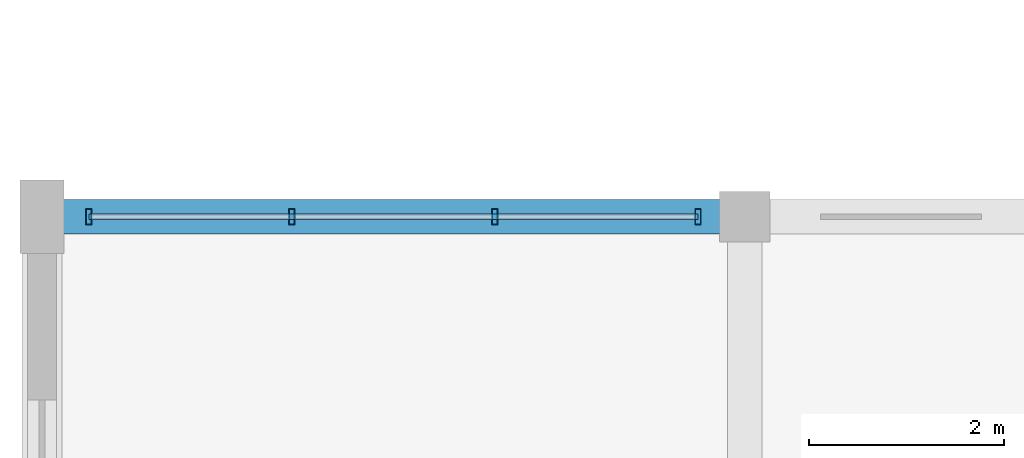
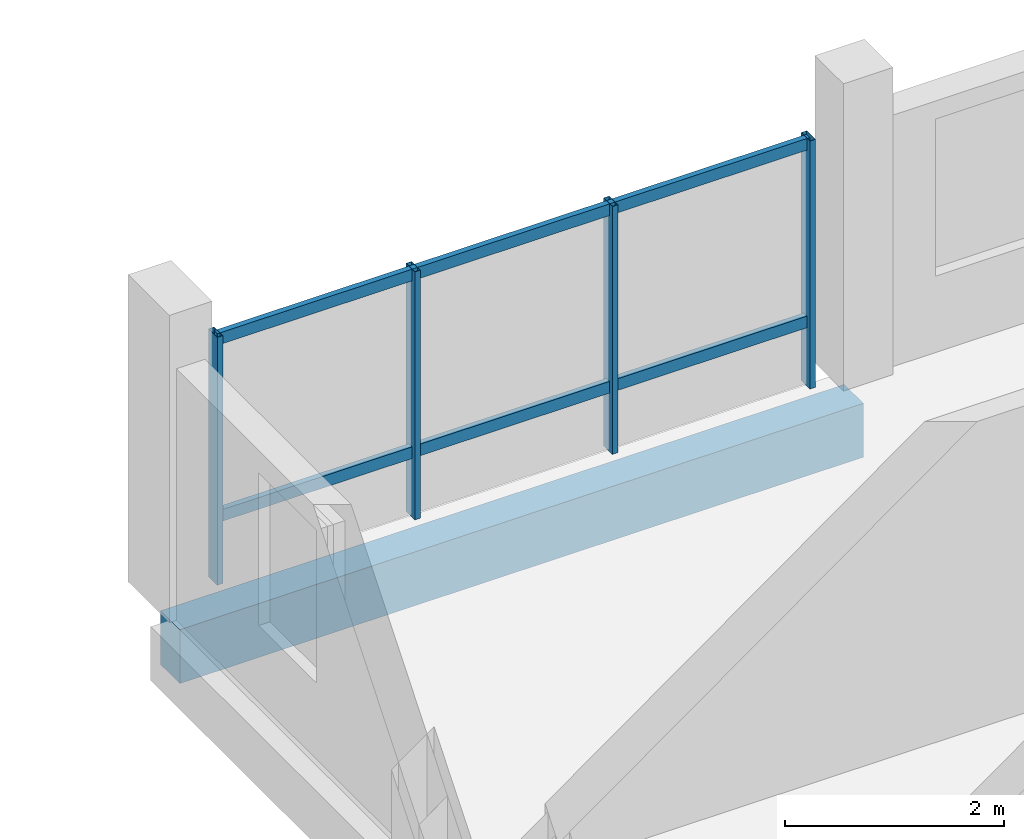
# One storey, part 15 of 26: 6 members, 1 beam, 1 element without a shape of its own.
"""IFC4 building model written with IfcOpenShell, lengths in metres."""

from ifc_helpers import new_model, si_unit, direction, frame, origin, origin_2d, place, context, subcontext, project, spatial, rectangle, hollow_rectangle, extrude, material, material_profile, profile_set, type_object, element, aggregate, save


model = new_model("IFC4")

# Units and contexts
model_context = context("Model", 3, precision=1e-05, world=origin(), true_north=direction((0.0, 1.0)))
body_context = subcontext(model_context, "Body", "Model", "MODEL_VIEW")
ifc_project = project(units=[si_unit("LENGTHUNIT", "METRE"), si_unit("AREAUNIT", "SQUARE_METRE"), si_unit("VOLUMEUNIT", "CUBIC_METRE"), si_unit("PLANEANGLEUNIT", "RADIAN"), si_unit("MASSUNIT", "GRAM", prefix="KILO")], contexts=[model_context])

# Site, building, storey
site_placement = place(None, origin())
site = spatial("IfcSite", under=ifc_project, at=site_placement, CompositionType="ELEMENT")
building_placement = place(site_placement, origin())
building = spatial("IfcBuilding", under=site, at=building_placement, Name="Zornivar Specialist Clinic", CompositionType="ELEMENT")
storey_placement = place(building_placement, frame((0.0, 0.0, 19.699951171875)))
storey = spatial("IfcBuildingStorey", under=building, at=storey_placement, Name="L05", CompositionType="ELEMENT", Elevation=19.699951171875)

# Beam
ifc_material_1 = material(Name="Concrete C30/37", Category="concrete")
ifc_material_profile_1 = material_profile(ifc_material_1, rectangle(XDim=0.35009765625, YDim=0.60009765625, at=origin_2d()), Name="RC 350x600")
ifc_profile_set_1 = profile_set([ifc_material_profile_1], Name="Concrete C30/37")
beam_type = type_object("IfcBeamType", Name="BM-RC-350x600", PredefinedType="BEAM", material=ifc_profile_set_1)
beam_placement = place(storey_placement, frame((0.0, 48.0, -0.579833984375), z_axis=(1.0, 0.0, 0.0), x_axis=(0.0, 1.0, 0.0)))
element("IfcBeam", 1, at=beam_placement, inside=storey, type_object=beam_type, Name="bm:V2:L05:x:480:0", PredefinedType="BEAM", context=body_context, shape_type="SweptSolid", body=[
    extrude(rectangle(XDim=0.35009765625, YDim=0.60009765625, at=origin_2d()), origin(), (0.0, 0.0, 1.0), 7.199951171875),
])

# Curtain wall, members
ifc_material_2 = material(Name="Aluminium and Low-E Glass Curtain Wall", Category="aluminium")
curtain_wall_type = type_object("IfcCurtainWallType", Name="CW-REVAK-COURT", PredefinedType="NOTDEFINED", material=ifc_material_2)
curtain_wall_placement = place(storey_placement, origin())
curtain_wall = element("IfcCurtainWall", 2, at=curtain_wall_placement, inside=storey, type_object=curtain_wall_type, Name="cw:V2:L05:16", PredefinedType="NOTDEFINED")
ifc_material_3 = material(Name="Aluminium AW-6060", Category="aluminium")
ifc_material_profile_2 = material_profile(ifc_material_3, hollow_rectangle(XDim=0.06005859375, YDim=0.159912109375, WallThickness=0.00390625, at=origin_2d()), Name="ALU 60x160x4")
ifc_profile_set_2 = profile_set([ifc_material_profile_2], Name="Aluminium AW-6060")
member_type_1 = type_object("IfcMemberType", Name="CWM-MUL-160", PredefinedType="MULLION", material=ifc_profile_set_2)
member_1_placement = place(storey_placement, frame((6.719970703125, 48.0, 0.0), z_axis=(0.0, 0.0, 1.0), x_axis=(1.0, 0.0, 0.0)))
member_1 = element("IfcMember", 3, at=member_1_placement, type_object=member_type_1, Name="cw:V2:L05:16:mul:0", PredefinedType="MULLION", context=body_context, shape_type="SweptSolid", body=[
    extrude(hollow_rectangle(XDim=0.06005859375, YDim=0.159912109375, WallThickness=0.00390625, at=origin_2d()), origin(), (0.0, 0.0, 1.0), 2.760009765625),
])
member_2_placement = place(storey_placement, frame((4.639892578125, 48.0, 0.0), z_axis=(0.0, 0.0, 1.0), x_axis=(1.0, 0.0, 0.0)))
member_2 = element("IfcMember", 4, at=member_2_placement, type_object=member_type_1, Name="cw:V2:L05:16:mul:1", PredefinedType="MULLION", context=body_context, shape_type="SweptSolid", body=[
    extrude(hollow_rectangle(XDim=0.06005859375, YDim=0.159912109375, WallThickness=0.00390625, at=origin_2d()), origin(), (0.0, 0.0, 1.0), 2.760009765625),
])
member_3_placement = place(storey_placement, frame((2.56005859375, 48.0, 0.0), z_axis=(0.0, 0.0, 1.0), x_axis=(1.0, 0.0, 0.0)))
member_3 = element("IfcMember", 5, at=member_3_placement, type_object=member_type_1, Name="cw:V2:L05:16:mul:2", PredefinedType="MULLION", context=body_context, shape_type="SweptSolid", body=[
    extrude(hollow_rectangle(XDim=0.06005859375, YDim=0.159912109375, WallThickness=0.00390625, at=origin_2d()), origin(), (0.0, 0.0, 1.0), 2.760009765625),
])
member_4_placement = place(storey_placement, frame((0.47998046875, 48.0, 0.0), z_axis=(0.0, 0.0, 1.0), x_axis=(1.0, 0.0, 0.0)))
member_4 = element("IfcMember", 6, at=member_4_placement, type_object=member_type_1, Name="cw:V2:L05:16:mul:3", PredefinedType="MULLION", context=body_context, shape_type="SweptSolid", body=[
    extrude(hollow_rectangle(XDim=0.06005859375, YDim=0.159912109375, WallThickness=0.00390625, at=origin_2d()), origin(), (0.0, 0.0, 1.0), 2.760009765625),
])
ifc_material_4 = material(Name="Aluminium AW-6060", Category="aluminium")
ifc_material_profile_3 = material_profile(ifc_material_4, hollow_rectangle(XDim=0.06005859375, YDim=0.1298828125, WallThickness=0.00390625, at=origin_2d()), Name="ALU 60x130x4")
ifc_profile_set_3 = profile_set([ifc_material_profile_3], Name="Aluminium AW-6060")
member_type_2 = type_object("IfcMemberType", Name="CWM-TRN-130", PredefinedType="USERDEFINED", material=ifc_profile_set_3)
member_5_placement = place(storey_placement, frame((6.719970703125, 48.0, 0.718017578125), z_axis=(-1.0, 0.0, 0.0), x_axis=(0.0, -1.0, 0.0)))
member_5 = element("IfcMember", 7, at=member_5_placement, type_object=member_type_2, Name="cw:V2:L05:16:trn:0", ObjectType="TRANSOM", PredefinedType="USERDEFINED", context=body_context, shape_type="SweptSolid", body=[
    extrude(hollow_rectangle(XDim=0.06005859375, YDim=0.1298828125, WallThickness=0.00390625, at=origin_2d()), origin(), (0.0, 0.0, 1.0), 6.239990234375),
])
member_6_placement = place(storey_placement, frame((6.719970703125, 48.0, 2.695068359375), z_axis=(-1.0, 0.0, 0.0), x_axis=(0.0, -1.0, 0.0)))
member_6 = element("IfcMember", 8, at=member_6_placement, type_object=member_type_2, Name="cw:V2:L05:16:trn:1", ObjectType="TRANSOM", PredefinedType="USERDEFINED", context=body_context, shape_type="SweptSolid", body=[
    extrude(hollow_rectangle(XDim=0.06005859375, YDim=0.1298828125, WallThickness=0.00390625, at=origin_2d()), origin(), (0.0, 0.0, 1.0), 6.239990234375),
])
aggregate(curtain_wall, [member_1, member_2, member_3, member_4, member_5, member_6])

save(model, "model.ifc")
